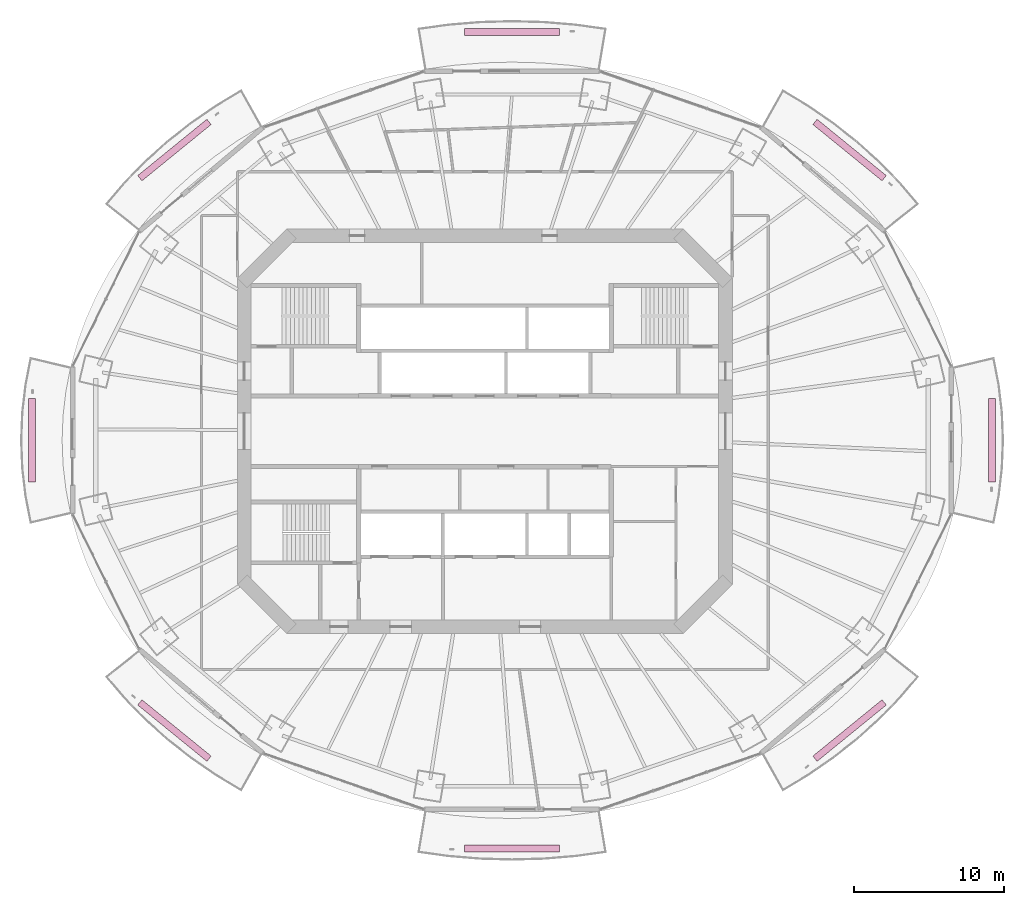
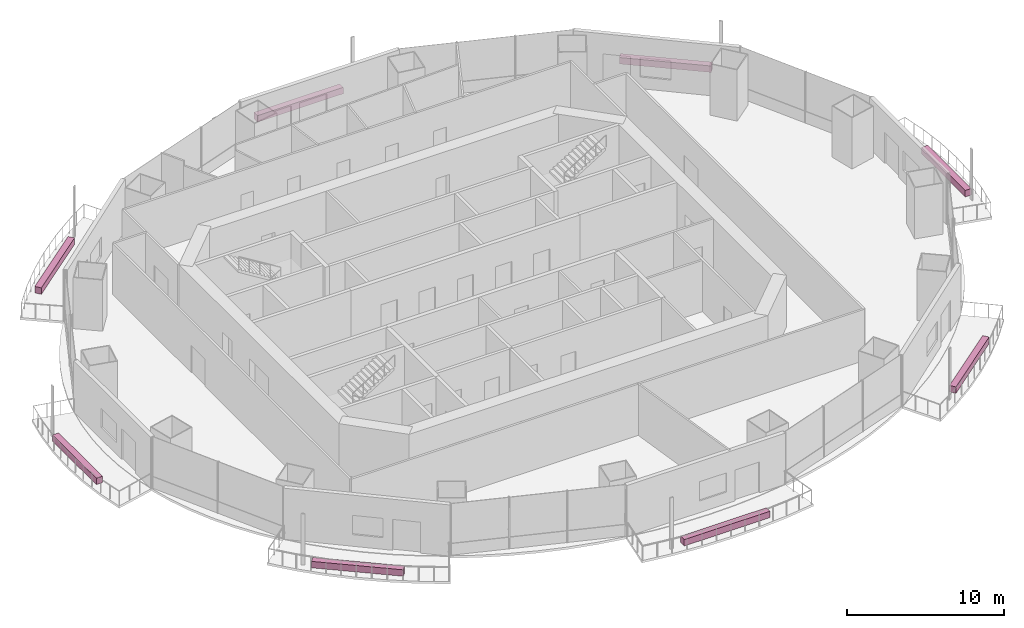
# One storey, part 19 of 19: 8 furnishings.
"""IFC4 building model written with IfcOpenShell, lengths in metres."""

from ifc_helpers import new_model, si_unit, direction, frame, origin, origin_2d, place, context, subcontext, project, spatial, rectangle, extrude, material, type_object, element, save


model = new_model("IFC4")

# Units and contexts
model_context = context("Model", 3, precision=1e-05, world=origin(), true_north=direction((0.0, 1.0)))
body_context = subcontext(model_context, "Body", "Model", "MODEL_VIEW")
ifc_project = project(units=[si_unit("LENGTHUNIT", "METRE"), si_unit("AREAUNIT", "SQUARE_METRE"), si_unit("VOLUMEUNIT", "CUBIC_METRE"), si_unit("PLANEANGLEUNIT", "RADIAN"), si_unit("MASSUNIT", "GRAM", prefix="KILO")], contexts=[model_context])

# Site, building, storey
site_placement = place(None, origin())
site = spatial("IfcSite", under=ifc_project, at=site_placement, CompositionType="ELEMENT")
building_placement = place(site_placement, origin())
building = spatial("IfcBuilding", under=site, at=building_placement, Name="Marenthal Gate Tower", CompositionType="ELEMENT")
storey_placement = place(building_placement, frame((0.0, 0.0, 252.35009765625)))
storey = spatial("IfcBuildingStorey", under=building, at=storey_placement, Name="L56", CompositionType="ELEMENT", Elevation=252.35009765625)

# Furnishings
ifc_material = material(Name="Planting soil and foliage", Category="planting")
furnishing_element_type = type_object("IfcFurnishingElementType", Name="Balcony PLANTER trough", material=ifc_material)
furnishing_1_placement = place(storey_placement, frame((24.252197265625, 18.70556640625, -0.0400390625), z_axis=(0.0, 0.0, 1.0), x_axis=(-0.775504650552, 0.631341854285, 0.0)))
element("IfcFurnishingElement", 1, at=furnishing_1_placement, inside=storey, type_object=furnishing_element_type, Name="Balcony PLANTER L56 bay 2", ObjectType="PLANTER", context=body_context, shape_type="SweptSolid", body=[
    extrude(rectangle(XDim=5.931640625, YDim=0.449951171875, at=origin_2d()), origin(), (0.0, 0.0, 1.0), 0.5),
])
furnishing_2_placement = place(storey_placement, frame((1.800048828125, 26.549072265625, -0.0400390625), z_axis=(0.0, 0.0, 1.0), x_axis=(-1.0, 0.0, 0.0)))
element("IfcFurnishingElement", 2, at=furnishing_2_placement, inside=storey, type_object=furnishing_element_type, Name="Balcony PLANTER L56 bay 4", ObjectType="PLANTER", context=body_context, shape_type="SweptSolid", body=[
    extrude(rectangle(XDim=6.299560546875, YDim=0.449951171875, at=origin_2d()), origin(), (0.0, 0.0, 1.0), 0.5),
])
furnishing_3_placement = place(storey_placement, frame((-20.65234375, 18.70556640625, -0.0400390625), z_axis=(0.0, 0.0, 1.0), x_axis=(-0.775504650552, -0.631341854285, 0.0)))
element("IfcFurnishingElement", 3, at=furnishing_3_placement, inside=storey, type_object=furnishing_element_type, Name="Balcony PLANTER L56 bay 6", ObjectType="PLANTER", context=body_context, shape_type="SweptSolid", body=[
    extrude(rectangle(XDim=5.931640625, YDim=0.449951171875, at=origin_2d()), origin(), (0.0, 0.0, 1.0), 0.5),
])
furnishing_4_placement = place(storey_placement, frame((-30.117919921875, -0.60009765625, -0.0400390625), z_axis=(0.0, 0.0, 1.0), x_axis=(0.0, -1.0, 0.0)))
element("IfcFurnishingElement", 4, at=furnishing_4_placement, inside=storey, type_object=furnishing_element_type, Name="Balcony PLANTER L56 bay 8", ObjectType="PLANTER", context=body_context, shape_type="SweptSolid", body=[
    extrude(rectangle(XDim=5.552001953125, YDim=0.449951171875, at=origin_2d()), origin(), (0.0, 0.0, 1.0), 0.5),
])
furnishing_5_placement = place(storey_placement, frame((-20.65234375, -19.905517578125, -0.0400390625), z_axis=(0.0, 0.0, 1.0), x_axis=(0.775504650552, -0.631341854285, 0.0)))
element("IfcFurnishingElement", 5, at=furnishing_5_placement, inside=storey, type_object=furnishing_element_type, Name="Balcony PLANTER L56 bay 10", ObjectType="PLANTER", context=body_context, shape_type="SweptSolid", body=[
    extrude(rectangle(XDim=5.931640625, YDim=0.449951171875, at=origin_2d()), origin(), (0.0, 0.0, 1.0), 0.5),
])
furnishing_6_placement = place(storey_placement, frame((1.800048828125, -27.7490234375, -0.0400390625), z_axis=(0.0, 0.0, 1.0), x_axis=(1.0, 0.0, 0.0)))
element("IfcFurnishingElement", 6, at=furnishing_6_placement, inside=storey, type_object=furnishing_element_type, Name="Balcony PLANTER L56 bay 12", ObjectType="PLANTER", context=body_context, shape_type="SweptSolid", body=[
    extrude(rectangle(XDim=6.299560546875, YDim=0.449951171875, at=origin_2d()), origin(), (0.0, 0.0, 1.0), 0.5),
])
furnishing_7_placement = place(storey_placement, frame((24.252197265625, -19.905517578125, -0.0400390625), z_axis=(0.0, 0.0, 1.0), x_axis=(0.775504650552, 0.631341854285, 0.0)))
element("IfcFurnishingElement", 7, at=furnishing_7_placement, inside=storey, type_object=furnishing_element_type, Name="Balcony PLANTER L56 bay 14", ObjectType="PLANTER", context=body_context, shape_type="SweptSolid", body=[
    extrude(rectangle(XDim=5.931640625, YDim=0.449951171875, at=origin_2d()), origin(), (0.0, 0.0, 1.0), 0.5),
])
furnishing_8_placement = place(storey_placement, frame((33.718017578125, -0.60009765625, -0.0400390625), z_axis=(0.0, 0.0, 1.0), x_axis=(0.0, 1.0, 0.0)))
element("IfcFurnishingElement", 8, at=furnishing_8_placement, inside=storey, type_object=furnishing_element_type, Name="Balcony PLANTER L56 bay 16", ObjectType="PLANTER", context=body_context, shape_type="SweptSolid", body=[
    extrude(rectangle(XDim=5.552001953125, YDim=0.449951171875, at=origin_2d()), origin(), (0.0, 0.0, 1.0), 0.5),
])

save(model, "model.ifc")
